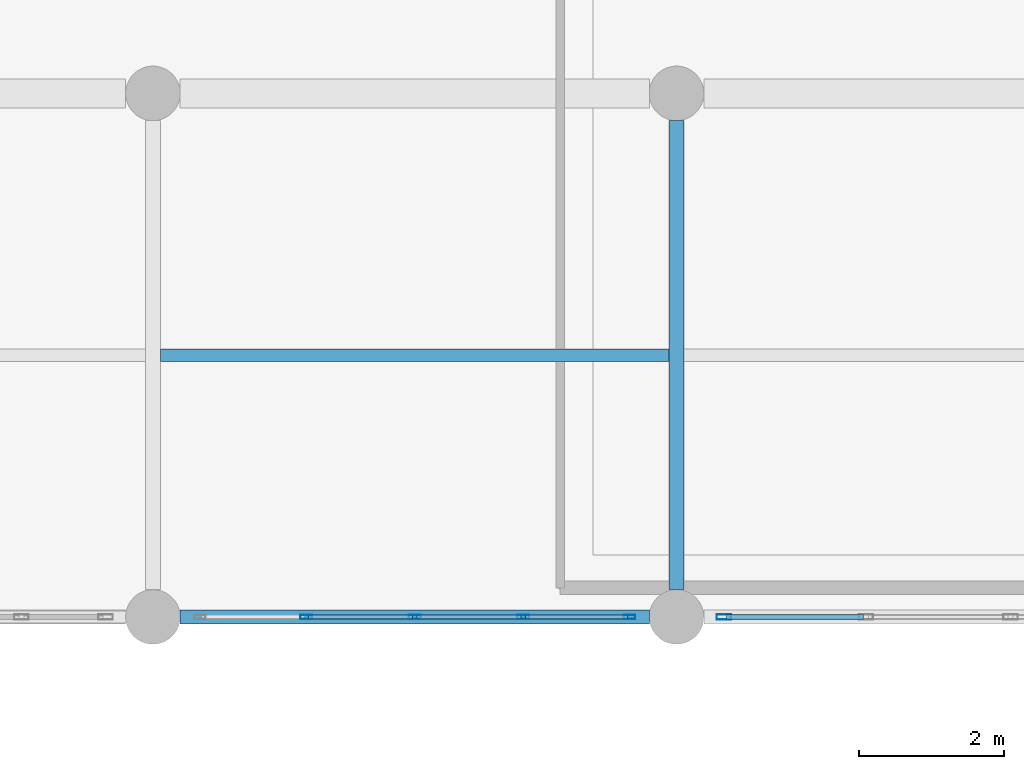
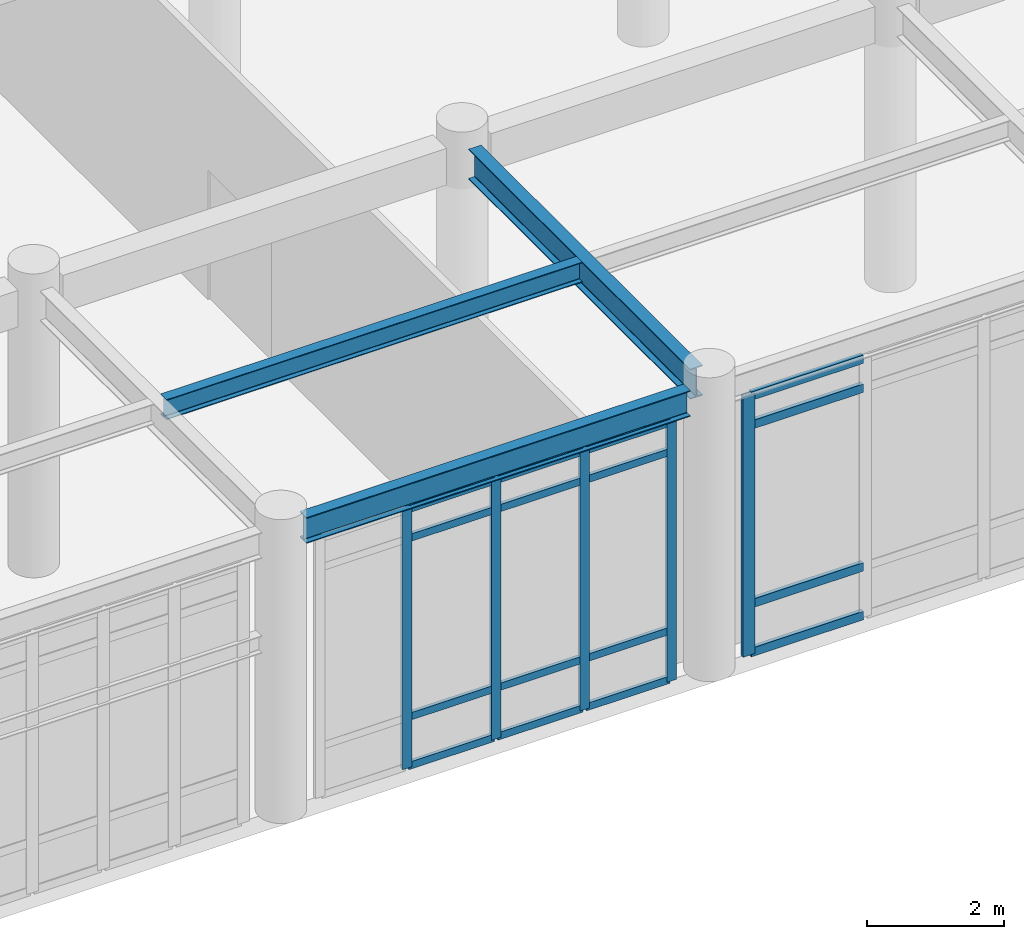
# One storey, part 35 of 102: 21 members, 3 beams, 2 elements without a shape of their own.
"""IFC4 building model written with IfcOpenShell, lengths in metres."""

from ifc_helpers import new_model, si_unit, direction, frame, origin, origin_2d, place, context, subcontext, project, spatial, hollow_rectangle, i_section, extrude, material, layer, layer_set, material_profile, profile_set, type_object, element, aggregate, save


model = new_model("IFC4")

# Units and contexts
model_context = context("Model", 3, precision=1e-05, world=origin(), true_north=direction((0.0, 1.0)))
body_context = subcontext(model_context, "Body", "Model", "MODEL_VIEW")
ifc_project = project(units=[si_unit("LENGTHUNIT", "METRE"), si_unit("AREAUNIT", "SQUARE_METRE"), si_unit("VOLUMEUNIT", "CUBIC_METRE"), si_unit("PLANEANGLEUNIT", "RADIAN"), si_unit("MASSUNIT", "GRAM", prefix="KILO")], contexts=[model_context])

# Site, building, storey
site_placement = place(None, origin())
site = spatial("IfcSite", under=ifc_project, at=site_placement, CompositionType="ELEMENT")
building_placement = place(site_placement, origin())
building = spatial("IfcBuilding", under=site, at=building_placement, Name="Carrowvane Square Congress Hotel", CompositionType="ELEMENT")
storey_placement = place(building_placement, origin())
storey = spatial("IfcBuildingStorey", under=building, at=storey_placement, Name="L00", CompositionType="ELEMENT", Elevation=0.0)

# Beams
ifc_material_1 = material(Name="Steel S355", Category="steel")
ifc_material_profile_1 = material_profile(ifc_material_1, i_section(OverallWidth=0.172119140625, OverallDepth=0.35791015625, WebThickness=0.008056640625, FlangeThickness=0.012939453125, FilletRadius=0.01025390625, at=origin_2d()), Name="UKB 356x171x57")
ifc_profile_set_1 = profile_set([ifc_material_profile_1], Name="Steel S355")
beam_type_1 = type_object("IfcBeamType", Name="BM-ST-UKB356", PredefinedType="JOIST", material=ifc_profile_set_1)
beam_1_placement = place(storey_placement, frame((90.905029296875, 73.800048828125, 4.9208984375), z_axis=(1.0, 0.0, 0.0), x_axis=(0.0, 1.0, 0.0)))
element("IfcBeam", 1, at=beam_1_placement, inside=storey, type_object=beam_type_1, Name="L01 secondary joist 12-13", PredefinedType="JOIST", context=body_context, shape_type="SweptSolid", body=[
    extrude(i_section(OverallWidth=0.172119140625, OverallDepth=0.35791015625, WebThickness=0.008056640625, FlangeThickness=0.012939453125, FilletRadius=0.01025390625, at=origin_2d()), origin(), (0.0, 0.0, 1.0), 6.989990234375),
])
ifc_material_2 = material(Name="Steel S355", Category="steel")
ifc_material_profile_2 = material_profile(ifc_material_2, i_section(OverallWidth=0.19140625, OverallDepth=0.4599609375, WebThickness=0.010009765625, FlangeThickness=0.01611328125, FilletRadius=0.01025390625, at=origin_2d()), Name="UKB 457x191x82")
ifc_profile_set_2 = profile_set([ifc_material_profile_2], Name="Steel S355")
beam_type_2 = type_object("IfcBeamType", Name="BM-ST-UKB457", PredefinedType="SPANDREL", material=ifc_profile_set_2)
beam_2_placement = place(storey_placement, frame((91.175048828125, 70.199951171875, 4.8701171875), z_axis=(1.0, 0.0, 0.0), x_axis=(0.0, 1.0, 0.0)))
element("IfcBeam", 2, at=beam_2_placement, inside=storey, type_object=beam_type_2, Name="L01 girder K/12-13", PredefinedType="SPANDREL", context=body_context, shape_type="SweptSolid", body=[
    extrude(i_section(OverallWidth=0.19140625, OverallDepth=0.4599609375, WebThickness=0.010009765625, FlangeThickness=0.01611328125, FilletRadius=0.01025390625, at=origin_2d()), origin(), (0.0, 0.0, 1.0), 6.449951171875),
])
ifc_material_3 = material(Name="Steel S355", Category="steel")
ifc_material_profile_3 = material_profile(ifc_material_3, i_section(OverallWidth=0.2099609375, OverallDepth=0.53662109375, WebThickness=0.0107421875, FlangeThickness=0.017333984375, FilletRadius=0.0126953125, at=origin_2d()), Name="UKB 533x210x101")
ifc_profile_set_3 = profile_set([ifc_material_profile_3], Name="Steel S355")
beam_type_3 = type_object("IfcBeamType", Name="BM-ST-UKB533", PredefinedType="USERDEFINED", material=ifc_profile_set_3)
beam_3_placement = place(storey_placement, frame((98.0, 70.574951171875, 4.83154296875), z_axis=(0.0, 1.0, 0.0), x_axis=(-1.0, 0.0, 0.0)))
element("IfcBeam", 3, at=beam_3_placement, inside=storey, type_object=beam_type_3, Name="L01 girder 13/K-L", ObjectType="GIRDER", PredefinedType="USERDEFINED", context=body_context, shape_type="SweptSolid", body=[
    extrude(i_section(OverallWidth=0.2099609375, OverallDepth=0.53662109375, WebThickness=0.0107421875, FlangeThickness=0.017333984375, FilletRadius=0.0126953125, at=origin_2d()), origin(), (0.0, 0.0, 1.0), 6.449951171875),
])

# Curtain wall, members
ifc_material_4 = material(Name="Anodised aluminium", Category="aluminium")
ifc_layer_1 = layer(ifc_material_4, 0.23388671875)
ifc_layer_set_1 = layer_set([ifc_layer_1], Name="Anodised aluminium")
curtain_wall_type_1 = type_object("IfcCurtainWallType", Name="CW-SYS-7", PredefinedType="NOTDEFINED", material=ifc_layer_set_1)
curtain_wall_1_placement = place(storey_placement, origin())
curtain_wall_1 = element("IfcCurtainWall", 4, at=curtain_wall_1_placement, inside=storey, type_object=curtain_wall_type_1, Name="L00 unitised curtain wall 54", PredefinedType="NOTDEFINED")
ifc_material_5 = material(Name="Anodised aluminium", Category="aluminium")
ifc_material_profile_4 = material_profile(ifc_material_5, hollow_rectangle(XDim=0.06005859375, YDim=0.159912109375, WallThickness=0.00390625, at=origin_2d()), Name="CW-ML 60x160x4")
ifc_profile_set_4 = profile_set([ifc_material_profile_4], Name="Anodised aluminium")
member_type_1 = type_object("IfcMemberType", Name="CW-MUL-1", PredefinedType="MULLION", material=ifc_profile_set_4)
member_1_placement = place(storey_placement, frame((97.35498046875, 70.199951171875, 0.0), z_axis=(0.0, 0.0, 1.0), x_axis=(0.0, -1.0, 0.0)))
member_1 = element("IfcMember", 5, at=member_1_placement, type_object=member_type_1, Name="CW-7 mullion 1", PredefinedType="MULLION", context=body_context, shape_type="SweptSolid", body=[
    extrude(hollow_rectangle(XDim=0.06005859375, YDim=0.159912109375, WallThickness=0.00390625, at=origin_2d()), origin(), (0.0, 0.0, 1.0), 4.625),
])
member_2_placement = place(storey_placement, frame((95.892578125, 70.199951171875, 0.0), z_axis=(0.0, 0.0, 1.0), x_axis=(0.0, -1.0, 0.0)))
member_2 = element("IfcMember", 6, at=member_2_placement, type_object=member_type_1, Name="CW-7 mullion 2", PredefinedType="MULLION", context=body_context, shape_type="SweptSolid", body=[
    extrude(hollow_rectangle(XDim=0.06005859375, YDim=0.159912109375, WallThickness=0.00390625, at=origin_2d()), origin(), (0.0, 0.0, 1.0), 4.625),
])
member_3_placement = place(storey_placement, frame((94.39990234375, 70.199951171875, 0.0), z_axis=(0.0, 0.0, 1.0), x_axis=(0.0, -1.0, 0.0)))
member_3 = element("IfcMember", 7, at=member_3_placement, type_object=member_type_1, Name="CW-7 mullion 3", PredefinedType="MULLION", context=body_context, shape_type="SweptSolid", body=[
    extrude(hollow_rectangle(XDim=0.06005859375, YDim=0.159912109375, WallThickness=0.00390625, at=origin_2d()), origin(), (0.0, 0.0, 1.0), 4.625),
])
member_4_placement = place(storey_placement, frame((92.907470703125, 70.199951171875, 0.0), z_axis=(0.0, 0.0, 1.0), x_axis=(0.0, -1.0, 0.0)))
member_4 = element("IfcMember", 8, at=member_4_placement, type_object=member_type_1, Name="CW-7 mullion 4", PredefinedType="MULLION", context=body_context, shape_type="SweptSolid", body=[
    extrude(hollow_rectangle(XDim=0.06005859375, YDim=0.159912109375, WallThickness=0.00390625, at=origin_2d()), origin(), (0.0, 0.0, 1.0), 4.625),
])

# Curtain wall, member
ifc_material_6 = material(Name="Anodised aluminium", Category="aluminium")
ifc_layer_2 = layer(ifc_material_6, 0.221923828125)
ifc_layer_set_2 = layer_set([ifc_layer_2], Name="Anodised aluminium")
curtain_wall_type_2 = type_object("IfcCurtainWallType", Name="CW-SYS-6", PredefinedType="NOTDEFINED", material=ifc_layer_set_2)
curtain_wall_2_placement = place(storey_placement, origin())
curtain_wall_2 = element("IfcCurtainWall", 9, at=curtain_wall_2_placement, inside=storey, type_object=curtain_wall_type_2, Name="L00 unitised curtain wall 53", PredefinedType="NOTDEFINED")
ifc_material_7 = material(Name="Anodised aluminium", Category="aluminium")
ifc_material_profile_5 = material_profile(ifc_material_7, hollow_rectangle(XDim=0.070068359375, YDim=0.199951171875, WallThickness=0.0048828125, at=origin_2d()), Name="CW-ML 70x200x5")
ifc_profile_set_5 = profile_set([ifc_material_profile_5], Name="Anodised aluminium")
member_type_2 = type_object("IfcMemberType", Name="CW-MUL-2", PredefinedType="MULLION", material=ifc_profile_set_5)
member_5_placement = place(storey_placement, frame((98.64990234375, 70.199951171875, 0.0), z_axis=(0.0, 0.0, 1.0), x_axis=(0.0, -1.0, 0.0)))
member_5 = element("IfcMember", 10, at=member_5_placement, type_object=member_type_2, Name="CW-6 mullion 4", PredefinedType="MULLION", context=body_context, shape_type="SweptSolid", body=[
    extrude(hollow_rectangle(XDim=0.070068359375, YDim=0.199951171875, WallThickness=0.0048828125, at=origin_2d()), origin(), (0.0, 0.0, 1.0), 4.625),
])

# Member
ifc_material_8 = material(Name="Anodised aluminium", Category="aluminium")
ifc_material_profile_6 = material_profile(ifc_material_8, hollow_rectangle(XDim=0.06005859375, YDim=0.1298828125, WallThickness=0.00390625, at=origin_2d()), Name="CW-TR 60x130x4")
ifc_profile_set_6 = profile_set([ifc_material_profile_6], Name="Anodised aluminium")
member_type_3 = type_object("IfcMemberType", Name="CW-TRN-1", PredefinedType="USERDEFINED", material=ifc_profile_set_6)
member_6_placement = place(storey_placement, frame((97.324951171875, 70.199951171875, 0.030029296875), z_axis=(-1.0, 0.0, 0.0), x_axis=(0.0, -1.0, 0.0)))
member_6 = element("IfcMember", 11, at=member_6_placement, type_object=member_type_3, Name="CW-7 transom 1.1", ObjectType="TRANSOM", PredefinedType="USERDEFINED", context=body_context, shape_type="SweptSolid", body=[
    extrude(hollow_rectangle(XDim=0.06005859375, YDim=0.1298828125, WallThickness=0.00390625, at=origin_2d()), origin(), (0.0, 0.0, 1.0), 1.40234375),
])

member_7_placement = place(storey_placement, frame((97.324951171875, 70.199951171875, 0.89990234375), z_axis=(-1.0, 0.0, 0.0), x_axis=(0.0, -1.0, 0.0)))
member_7 = element("IfcMember", 12, at=member_7_placement, type_object=member_type_3, Name="CW-7 transom 1.2", ObjectType="TRANSOM", PredefinedType="USERDEFINED", context=body_context, shape_type="SweptSolid", body=[
    extrude(hollow_rectangle(XDim=0.06005859375, YDim=0.1298828125, WallThickness=0.00390625, at=origin_2d()), origin(), (0.0, 0.0, 1.0), 1.40234375),
])

member_8_placement = place(storey_placement, frame((97.324951171875, 70.199951171875, 4.074951171875), z_axis=(-1.0, 0.0, 0.0), x_axis=(0.0, -1.0, 0.0)))
member_8 = element("IfcMember", 13, at=member_8_placement, type_object=member_type_3, Name="CW-7 transom 1.3", ObjectType="TRANSOM", PredefinedType="USERDEFINED", context=body_context, shape_type="SweptSolid", body=[
    extrude(hollow_rectangle(XDim=0.06005859375, YDim=0.1298828125, WallThickness=0.00390625, at=origin_2d()), origin(), (0.0, 0.0, 1.0), 1.40234375),
])

member_9_placement = place(storey_placement, frame((97.324951171875, 70.199951171875, 4.594970703125), z_axis=(-1.0, 0.0, 0.0), x_axis=(0.0, -1.0, 0.0)))
member_9 = element("IfcMember", 14, at=member_9_placement, type_object=member_type_3, Name="CW-7 transom 1.4", ObjectType="TRANSOM", PredefinedType="USERDEFINED", context=body_context, shape_type="SweptSolid", body=[
    extrude(hollow_rectangle(XDim=0.06005859375, YDim=0.1298828125, WallThickness=0.00390625, at=origin_2d()), origin(), (0.0, 0.0, 1.0), 1.40234375),
])

member_10_placement = place(storey_placement, frame((95.862548828125, 70.199951171875, 0.030029296875), z_axis=(-1.0, 0.0, 0.0), x_axis=(0.0, -1.0, 0.0)))
member_10 = element("IfcMember", 15, at=member_10_placement, type_object=member_type_3, Name="CW-7 transom 2.1", ObjectType="TRANSOM", PredefinedType="USERDEFINED", context=body_context, shape_type="SweptSolid", body=[
    extrude(hollow_rectangle(XDim=0.06005859375, YDim=0.1298828125, WallThickness=0.00390625, at=origin_2d()), origin(), (0.0, 0.0, 1.0), 1.4326171875),
])

member_11_placement = place(storey_placement, frame((95.862548828125, 70.199951171875, 0.89990234375), z_axis=(-1.0, 0.0, 0.0), x_axis=(0.0, -1.0, 0.0)))
member_11 = element("IfcMember", 16, at=member_11_placement, type_object=member_type_3, Name="CW-7 transom 2.2", ObjectType="TRANSOM", PredefinedType="USERDEFINED", context=body_context, shape_type="SweptSolid", body=[
    extrude(hollow_rectangle(XDim=0.06005859375, YDim=0.1298828125, WallThickness=0.00390625, at=origin_2d()), origin(), (0.0, 0.0, 1.0), 1.4326171875),
])

member_12_placement = place(storey_placement, frame((95.862548828125, 70.199951171875, 4.074951171875), z_axis=(-1.0, 0.0, 0.0), x_axis=(0.0, -1.0, 0.0)))
member_12 = element("IfcMember", 17, at=member_12_placement, type_object=member_type_3, Name="CW-7 transom 2.3", ObjectType="TRANSOM", PredefinedType="USERDEFINED", context=body_context, shape_type="SweptSolid", body=[
    extrude(hollow_rectangle(XDim=0.06005859375, YDim=0.1298828125, WallThickness=0.00390625, at=origin_2d()), origin(), (0.0, 0.0, 1.0), 1.4326171875),
])

member_13_placement = place(storey_placement, frame((95.862548828125, 70.199951171875, 4.594970703125), z_axis=(-1.0, 0.0, 0.0), x_axis=(0.0, -1.0, 0.0)))
member_13 = element("IfcMember", 18, at=member_13_placement, type_object=member_type_3, Name="CW-7 transom 2.4", ObjectType="TRANSOM", PredefinedType="USERDEFINED", context=body_context, shape_type="SweptSolid", body=[
    extrude(hollow_rectangle(XDim=0.06005859375, YDim=0.1298828125, WallThickness=0.00390625, at=origin_2d()), origin(), (0.0, 0.0, 1.0), 1.4326171875),
])

member_14_placement = place(storey_placement, frame((94.3701171875, 70.199951171875, 0.030029296875), z_axis=(-1.0, 0.0, 0.0), x_axis=(0.0, -1.0, 0.0)))
member_14 = element("IfcMember", 19, at=member_14_placement, type_object=member_type_3, Name="CW-7 transom 3.1", ObjectType="TRANSOM", PredefinedType="USERDEFINED", context=body_context, shape_type="SweptSolid", body=[
    extrude(hollow_rectangle(XDim=0.06005859375, YDim=0.1298828125, WallThickness=0.00390625, at=origin_2d()), origin(), (0.0, 0.0, 1.0), 1.4326171875),
])

member_15_placement = place(storey_placement, frame((94.3701171875, 70.199951171875, 0.89990234375), z_axis=(-1.0, 0.0, 0.0), x_axis=(0.0, -1.0, 0.0)))
member_15 = element("IfcMember", 20, at=member_15_placement, type_object=member_type_3, Name="CW-7 transom 3.2", ObjectType="TRANSOM", PredefinedType="USERDEFINED", context=body_context, shape_type="SweptSolid", body=[
    extrude(hollow_rectangle(XDim=0.06005859375, YDim=0.1298828125, WallThickness=0.00390625, at=origin_2d()), origin(), (0.0, 0.0, 1.0), 1.4326171875),
])

member_16_placement = place(storey_placement, frame((94.3701171875, 70.199951171875, 4.074951171875), z_axis=(-1.0, 0.0, 0.0), x_axis=(0.0, -1.0, 0.0)))
member_16 = element("IfcMember", 21, at=member_16_placement, type_object=member_type_3, Name="CW-7 transom 3.3", ObjectType="TRANSOM", PredefinedType="USERDEFINED", context=body_context, shape_type="SweptSolid", body=[
    extrude(hollow_rectangle(XDim=0.06005859375, YDim=0.1298828125, WallThickness=0.00390625, at=origin_2d()), origin(), (0.0, 0.0, 1.0), 1.4326171875),
])

member_17_placement = place(storey_placement, frame((94.3701171875, 70.199951171875, 4.594970703125), z_axis=(-1.0, 0.0, 0.0), x_axis=(0.0, -1.0, 0.0)))
member_17 = element("IfcMember", 22, at=member_17_placement, type_object=member_type_3, Name="CW-7 transom 3.4", ObjectType="TRANSOM", PredefinedType="USERDEFINED", context=body_context, shape_type="SweptSolid", body=[
    extrude(hollow_rectangle(XDim=0.06005859375, YDim=0.1298828125, WallThickness=0.00390625, at=origin_2d()), origin(), (0.0, 0.0, 1.0), 1.4326171875),
])

aggregate(curtain_wall_1, [member_1, member_2, member_3, member_4, member_6, member_7, member_8, member_9, member_10, member_11, member_12, member_13, member_14, member_15, member_16, member_17])

ifc_material_9 = material(Name="Anodised aluminium", Category="aluminium")
ifc_material_profile_7 = material_profile(ifc_material_9, hollow_rectangle(XDim=0.070068359375, YDim=0.14990234375, WallThickness=0.0048828125, at=origin_2d()), Name="CW-TR 70x150x5")
ifc_profile_set_7 = profile_set([ifc_material_profile_7], Name="Anodised aluminium")
member_type_4 = type_object("IfcMemberType", Name="CW-TRN-2", PredefinedType="USERDEFINED", material=ifc_profile_set_7)
member_18_placement = place(storey_placement, frame((100.570068359375, 70.199951171875, 0.034912109375), z_axis=(-1.0, 0.0, 0.0), x_axis=(0.0, -1.0, 0.0)))
member_18 = element("IfcMember", 23, at=member_18_placement, type_object=member_type_4, Name="CW-6 transom 3.1", ObjectType="TRANSOM", PredefinedType="USERDEFINED", context=body_context, shape_type="SweptSolid", body=[
    extrude(hollow_rectangle(XDim=0.070068359375, YDim=0.14990234375, WallThickness=0.0048828125, at=origin_2d()), origin(), (0.0, 0.0, 1.0), 1.885009765625),
])

member_19_placement = place(storey_placement, frame((100.570068359375, 70.199951171875, 0.89990234375), z_axis=(-1.0, 0.0, 0.0), x_axis=(0.0, -1.0, 0.0)))
member_19 = element("IfcMember", 24, at=member_19_placement, type_object=member_type_4, Name="CW-6 transom 3.2", ObjectType="TRANSOM", PredefinedType="USERDEFINED", context=body_context, shape_type="SweptSolid", body=[
    extrude(hollow_rectangle(XDim=0.070068359375, YDim=0.14990234375, WallThickness=0.0048828125, at=origin_2d()), origin(), (0.0, 0.0, 1.0), 1.885009765625),
])

member_20_placement = place(storey_placement, frame((100.570068359375, 70.199951171875, 4.074951171875), z_axis=(-1.0, 0.0, 0.0), x_axis=(0.0, -1.0, 0.0)))
member_20 = element("IfcMember", 25, at=member_20_placement, type_object=member_type_4, Name="CW-6 transom 3.3", ObjectType="TRANSOM", PredefinedType="USERDEFINED", context=body_context, shape_type="SweptSolid", body=[
    extrude(hollow_rectangle(XDim=0.070068359375, YDim=0.14990234375, WallThickness=0.0048828125, at=origin_2d()), origin(), (0.0, 0.0, 1.0), 1.885009765625),
])

member_21_placement = place(storey_placement, frame((100.570068359375, 70.199951171875, 4.590087890625), z_axis=(-1.0, 0.0, 0.0), x_axis=(0.0, -1.0, 0.0)))
member_21 = element("IfcMember", 26, at=member_21_placement, type_object=member_type_4, Name="CW-6 transom 3.4", ObjectType="TRANSOM", PredefinedType="USERDEFINED", context=body_context, shape_type="SweptSolid", body=[
    extrude(hollow_rectangle(XDim=0.070068359375, YDim=0.14990234375, WallThickness=0.0048828125, at=origin_2d()), origin(), (0.0, 0.0, 1.0), 1.885009765625),
])

aggregate(curtain_wall_2, [member_5, member_18, member_19, member_20, member_21])

save(model, "model.ifc")
